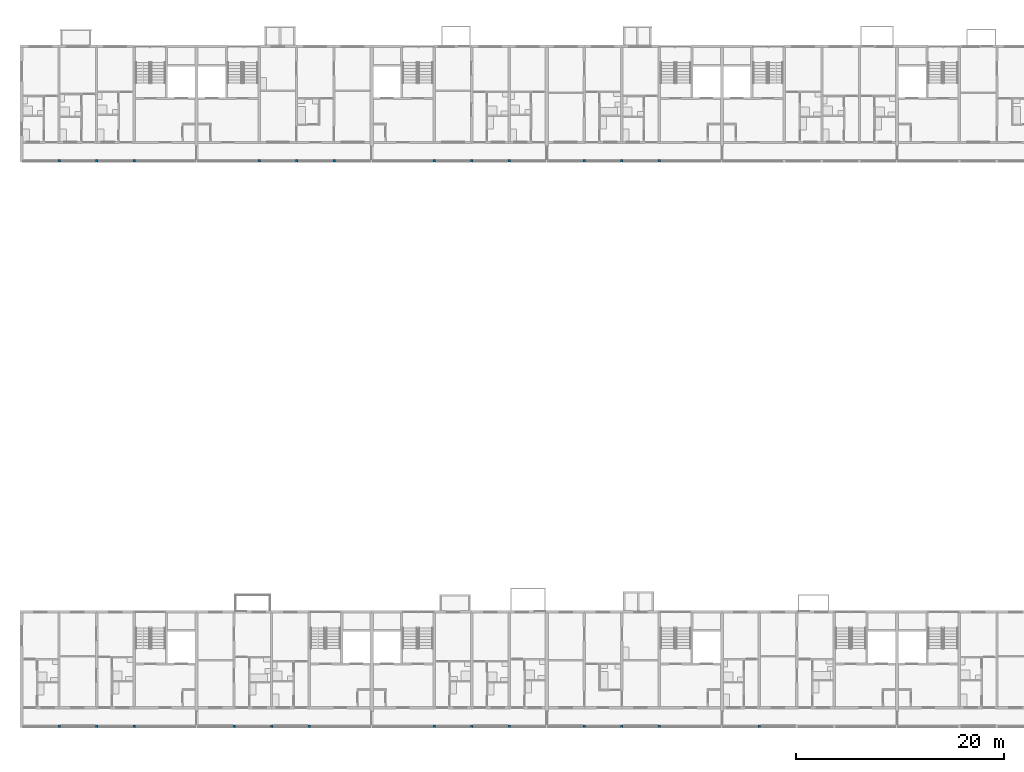
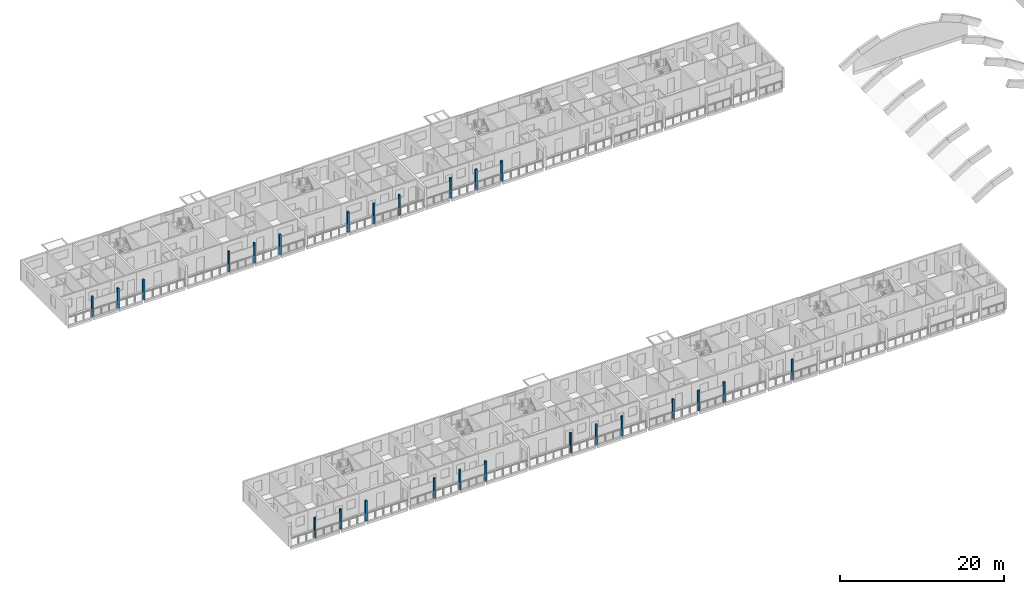
# One storey, part 1 of 99: 25 columns.
"""IFC4 building model written with IfcOpenShell, lengths in metres."""

from ifc_helpers import new_model, si_unit, direction, frame, origin, origin_2d, place, context, subcontext, project, spatial, rectangle, extrude, material, material_profile, profile_set, type_object, element, save


model = new_model("IFC4")

# Units and contexts
model_context = context("Model", 3, precision=1e-05, world=origin(), true_north=direction((0.0, 1.0)))
body_context = subcontext(model_context, "Body", "Model", "MODEL_VIEW")
ifc_project = project(units=[si_unit("LENGTHUNIT", "METRE"), si_unit("AREAUNIT", "SQUARE_METRE"), si_unit("VOLUMEUNIT", "CUBIC_METRE"), si_unit("PLANEANGLEUNIT", "RADIAN"), si_unit("MASSUNIT", "GRAM", prefix="KILO")], contexts=[model_context])

# Site, building, storey
site_placement = place(None, origin())
site = spatial("IfcSite", under=ifc_project, at=site_placement, CompositionType="ELEMENT")
building_placement = place(site_placement, origin())
building = spatial("IfcBuilding", under=site, at=building_placement, Name="Ridgestep Commons", CompositionType="ELEMENT")
storey_placement = place(building_placement, frame((0.0, 0.0, 15.0)))
storey = spatial("IfcBuildingStorey", under=building, at=storey_placement, Name="L05", CompositionType="ELEMENT", Elevation=15.0)

# Columns
ifc_material = material(Name="Precast concrete C40/50", Category="concrete")
ifc_material_profile = material_profile(ifc_material, rectangle(XDim=0.25, YDim=0.25, at=origin_2d()), Name="PC 250x250")
ifc_profile_set = profile_set([ifc_material_profile], Name="Precast concrete C40/50")
column_type = type_object("IfcColumnType", Name="Loggia column 250 x 250", PredefinedType="COLUMN", material=ifc_profile_set)
for number, where, z_axis, x_axis, name in (
    (1, (15.60009765625, 11.875, 0.0), (0.0, 0.0, 1.0), (1.0, 0.0, 0.0), "Loggia column A L05"),
    (2, (19.199951171875, 11.875, 0.0), (0.0, 0.0, 1.0), (1.0, 0.0, 0.0), "Loggia column A L05"),
    (3, (22.800048828125, 11.875, 0.0), (0.0, 0.0, 1.0), (1.0, 0.0, 0.0), "Loggia column A L05"),
    (4, (32.39990234375, 11.875, 0.0), (0.0, 0.0, 1.0), (1.0, 0.0, 0.0), "Loggia column A L05"),
    (5, (36.0, 11.875, 0.0), (0.0, 0.0, 1.0), (1.0, 0.0, 0.0), "Loggia column A L05"),
    (6, (39.60009765625, 11.875, 0.0), (0.0, 0.0, 1.0), (1.0, 0.0, 0.0), "Loggia column A L05"),
    (7, (51.60009765625, 11.875, 0.0), (0.0, 0.0, 1.0), (1.0, 0.0, 0.0), "Loggia column A L05"),
    (8, (55.199951171875, 11.875, 0.0), (0.0, 0.0, 1.0), (1.0, 0.0, 0.0), "Loggia column A L05"),
    (9, (58.800048828125, 11.875, 0.0), (0.0, 0.0, 1.0), (1.0, 0.0, 0.0), "Loggia column A L05"),
    (10, (66.0, 11.875, 0.0), (0.0, 0.0, 1.0), (1.0, 0.0, 0.0), "Loggia column A L05"),
    (11, (69.60009765625, 11.875, 0.0), (0.0, 0.0, 1.0), (1.0, 0.0, 0.0), "Loggia column A L05"),
    (12, (73.199951171875, 11.875, 0.0), (0.0, 0.0, 1.0), (1.0, 0.0, 0.0), "Loggia column A L05"),
    (13, (82.800048828125, 11.875, 0.0), (0.0, 0.0, 1.0), (1.0, 0.0, 0.0), "Loggia column A L05"),
    (14, (15.60009765625, 66.125, 0.0), (0.0, 0.0, 1.0), (1.0, 0.0, 0.0), "Loggia column B L05"),
    (15, (19.199951171875, 66.125, 0.0), (0.0, 0.0, 1.0), (1.0, 0.0, 0.0), "Loggia column B L05"),
    (16, (22.800048828125, 66.125, 0.0), (0.0, 0.0, 1.0), (1.0, 0.0, 0.0), "Loggia column B L05"),
    (17, (34.800048828125, 66.125, 0.0), (0.0, 0.0, 1.0), (1.0, 0.0, 0.0), "Loggia column B L05"),
    (18, (38.39990234375, 66.125, 0.0), (0.0, 0.0, 1.0), (1.0, 0.0, 0.0), "Loggia column B L05"),
    (19, (42.0, 66.125, 0.0), (0.0, 0.0, 1.0), (1.0, 0.0, 0.0), "Loggia column B L05"),
    (20, (51.60009765625, 66.125, 0.0), (0.0, 0.0, 1.0), (1.0, 0.0, 0.0), "Loggia column B L05"),
    (21, (55.199951171875, 66.125, 0.0), (0.0, 0.0, 1.0), (1.0, 0.0, 0.0), "Loggia column B L05"),
    (22, (58.800048828125, 66.125, 0.0), (0.0, 0.0, 1.0), (1.0, 0.0, 0.0), "Loggia column B L05"),
    (23, (66.0, 66.125, 0.0), (0.0, 0.0, 1.0), (1.0, 0.0, 0.0), "Loggia column B L05"),
    (24, (69.60009765625, 66.125, 0.0), (0.0, 0.0, 1.0), (1.0, 0.0, 0.0), "Loggia column B L05"),
    (25, (73.199951171875, 66.125, 0.0), (0.0, 0.0, 1.0), (1.0, 0.0, 0.0), "Loggia column B L05"),
):
    element("IfcColumn", number, at=place(storey_placement, frame(where, z_axis=z_axis, x_axis=x_axis)), inside=storey, type_object=column_type, Name=name, PredefinedType="COLUMN", context=body_context, shape_type="SweptSolid", body=[
        extrude(rectangle(XDim=0.25, YDim=0.25, at=origin_2d()), origin(), (0.0, 0.0, 1.0), 3.0),
    ])

save(model, "model.ifc")
